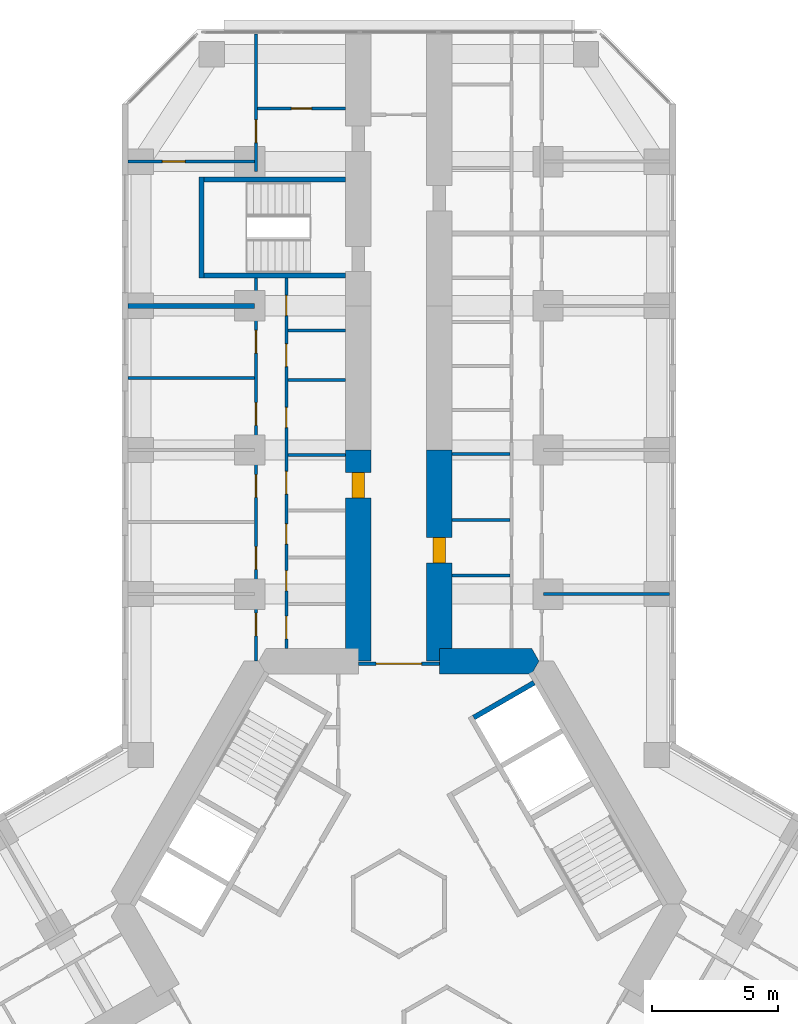
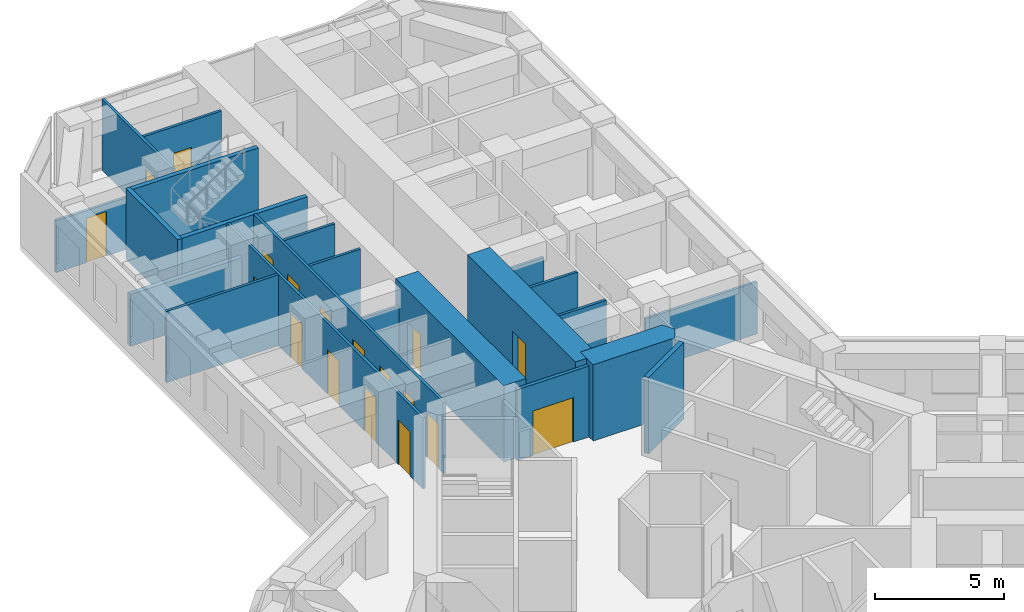
# One storey, part 17 of 21: 22 walls, 18 doors, 18 openings.
"""IFC4 building model written with IfcOpenShell, lengths in metres."""

from ifc_helpers import new_model, si_unit, direction, frame, frame_2d, origin, place, context, subcontext, project, spatial, polyline, rectangle, outline, extrude, material, layer, layer_set, type_object, element, fill, save


model = new_model("IFC4")

# Units and contexts
model_context = context("Model", 3, precision=1e-05, world=origin(), true_north=direction((0.0, 1.0)))
body_context = subcontext(model_context, "Body", "Model", "MODEL_VIEW")
ifc_project = project(units=[si_unit("LENGTHUNIT", "METRE"), si_unit("AREAUNIT", "SQUARE_METRE"), si_unit("VOLUMEUNIT", "CUBIC_METRE"), si_unit("PLANEANGLEUNIT", "RADIAN"), si_unit("MASSUNIT", "GRAM", prefix="KILO")], contexts=[model_context])

# Site, building, storey
site_placement = place(None, origin())
site = spatial("IfcSite", under=ifc_project, at=site_placement, CompositionType="ELEMENT")
building_placement = place(site_placement, origin())
building = spatial("IfcBuilding", under=site, at=building_placement, Name="Kosmar Iwan School Tower", CompositionType="ELEMENT")
storey_placement = place(building_placement, frame((0.0, 0.0, 71.800048828125)))
storey = spatial("IfcBuildingStorey", under=building, at=storey_placement, Name="L17", CompositionType="ELEMENT", Elevation=71.800048828125)

# Wall
ifc_material_1 = material(Name="Concrete C50/60", Category="concrete")
ifc_layer_1 = layer(ifc_material_1, 1.0)
ifc_layer_set_1 = layer_set([ifc_layer_1], Name="Core wall 1000")
wall_type_1 = type_object("IfcWallType", Name="Core wall 1000", PredefinedType="SHEAR", material=ifc_layer_set_1)
wall_1_placement = place(storey_placement, origin())
element("IfcWall", 1, at=wall_1_placement, inside=storey, type_object=wall_type_1, Name="Core wall F090a", PredefinedType="SHEAR", context=body_context, shape_type="SweptSolid", body=[
    extrude(outline(polyline([(1.60009765625, 9.10009765625), (5.25390625, 9.10009765625), (5.54248046875, 9.60009765625), (5.25390625, 10.10009765625), (1.60009765625, 10.10009765625), (1.60009765625, 9.10009765625)])), origin(), (0.0, 0.0, 1.0), 3.599853515625),
])

# Wall, opening, door
ifc_material_2 = material(Name="Concrete C50/60", Category="concrete")
ifc_layer_2 = layer(ifc_material_2, 1.0)
ifc_layer_set_2 = layer_set([ifc_layer_2], Name="Corridor buttress wall 1000")
wall_type_2 = type_object("IfcWallType", Name="Corridor buttress wall 1000", PredefinedType="SHEAR", material=ifc_layer_set_2)
wall_2_placement = place(storey_placement, frame((-1.60009765625, 9.60009765625, 0.0), z_axis=(0.0, 0.0, 1.0), x_axis=(0.0, 1.0, 0.0)))
wall_2 = element("IfcWall", 2, at=wall_2_placement, inside=storey, type_object=wall_type_2, Name="Corridor wall AL", PredefinedType="SHEAR", context=body_context, shape_type="SweptSolid", body=[
    extrude(rectangle(XDim=8.349853515625, YDim=1.0, at=frame_2d((4.1748046875, 0.0))), origin(), (0.0, 0.0, 1.0), 3.599853515625),
])
opening_1_placement = place(wall_2_placement, frame((6.449951171875, 0.0, 0.0)))
opening_1 = element("IfcOpeningElement", 3, at=opening_1_placement, cuts=wall_2, Name="Opening D1", PredefinedType="OPENING", context=body_context, shape_type="SweptSolid", body=[
    extrude(rectangle(XDim=1.0, YDim=2.10009765625, at=frame_2d((0.5, 1.050048828125))), frame((0.0, 0.511962890625, 0.0), z_axis=(0.0, -1.0, 0.0), x_axis=(1.0, 0.0, 0.0)), (0.0, 0.0, 1.0), 1.02392578125),
])
ifc_material_3 = material(Name="Timber fire door in steel frame", Category="steel")
door_type_1 = type_object("IfcDoorType", Name="Flat entrance door 1000x2100", OperationType="SINGLE_SWING_LEFT", PredefinedType="DOOR", material=ifc_material_3)
door_1_placement = place(opening_1_placement, origin())
door_1 = element("IfcDoor", 4, at=door_1_placement, inside=storey, type_object=door_type_1, Name="Flat L17-AL1 entrance door", OperationType="SINGLE_SWING_LEFT", OverallHeight=2.10009765625, OverallWidth=1.0, PredefinedType="DOOR", context=body_context, shape_type="SweptSolid", body=[
    extrude(rectangle(XDim=1.0, YDim=2.10009765625, at=frame_2d((0.5, 1.050048828125))), frame((0.0, 0.25, 0.0), z_axis=(0.0, -1.0, 0.0), x_axis=(1.0, 0.0, 0.0)), (0.0, 0.0, 1.0), 0.5),
])
fill(opening_1, door_1)

wall_3_placement = place(storey_placement, frame((1.60009765625, 9.60009765625, 0.0), z_axis=(0.0, 0.0, 1.0), x_axis=(0.0, 1.0, 0.0)))
wall_3 = element("IfcWall", 5, at=wall_3_placement, inside=storey, type_object=wall_type_2, Name="Corridor wall AR", PredefinedType="SHEAR", context=body_context, shape_type="SweptSolid", body=[
    extrude(rectangle(XDim=8.349853515625, YDim=1.0, at=frame_2d((4.1748046875, 0.0))), origin(), (0.0, 0.0, 1.0), 3.599853515625),
])
opening_2_placement = place(wall_3_placement, frame((3.8798828125, 0.0, 0.0)))
opening_2 = element("IfcOpeningElement", 6, at=opening_2_placement, cuts=wall_3, Name="Opening D1", PredefinedType="OPENING", context=body_context, shape_type="SweptSolid", body=[
    extrude(rectangle(XDim=1.0, YDim=2.10009765625, at=frame_2d((0.5, 1.050048828125))), frame((0.0, 0.511962890625, 0.0), z_axis=(0.0, -1.0, 0.0), x_axis=(1.0, 0.0, 0.0)), (0.0, 0.0, 1.0), 1.02392578125),
])
door_2_placement = place(opening_2_placement, origin())
door_2 = element("IfcDoor", 7, at=door_2_placement, inside=storey, type_object=door_type_1, Name="Flat L17-AR1 entrance door", OperationType="SINGLE_SWING_RIGHT", OverallHeight=2.10009765625, OverallWidth=1.0, PredefinedType="DOOR", context=body_context, shape_type="SweptSolid", body=[
    extrude(rectangle(XDim=1.0, YDim=2.10009765625, at=frame_2d((0.5, 1.050048828125))), frame((0.0, 0.25, 0.0), z_axis=(0.0, -1.0, 0.0), x_axis=(1.0, 0.0, 0.0)), (0.0, 0.0, 1.0), 0.5),
])
fill(opening_2, door_2)

ifc_material_4 = material(Name="Steel framed glazed screen", Category="steel")
ifc_layer_3 = layer(ifc_material_4, 0.14990234375)
ifc_layer_set_3 = layer_set([ifc_layer_3], Name="Corridor screen wall 150")
wall_type_3 = type_object("IfcWallType", Name="Corridor screen wall 150", PredefinedType="PARTITIONING", material=ifc_layer_set_3)
wall_4_placement = place(storey_placement, frame((1.60009765625, 9.5, 0.0), z_axis=(0.0, 0.0, 1.0), x_axis=(-1.0, 0.0, 0.0)))
wall_4 = element("IfcWall", 8, at=wall_4_placement, inside=storey, type_object=wall_type_3, Name="Corridor screen A L17", PredefinedType="PARTITIONING", context=body_context, shape_type="SweptSolid", body=[
    extrude(rectangle(XDim=3.2001953125, YDim=0.14990234375, at=frame_2d((1.60009765625, 0.0))), origin(), (0.0, 0.0, 1.0), 3.349853515625),
])
opening_3_placement = place(wall_4_placement, frame((0.699951171875, 0.0, 0.0)))
opening_3 = element("IfcOpeningElement", 9, at=opening_3_placement, cuts=wall_4, Name="Opening D9", PredefinedType="OPENING", context=body_context, shape_type="SweptSolid", body=[
    extrude(rectangle(XDim=1.800048828125, YDim=2.10009765625, at=frame_2d((0.89990234375, 1.050048828125))), frame((0.0, 0.0869140625, 0.0), z_axis=(0.0, -1.0, 0.0), x_axis=(1.0, 0.0, 0.0)), (0.0, 0.0, 1.0), 0.173828125),
])
ifc_material_5 = material(Name="Steel framed glazed smoke door", Category="steel")
door_type_2 = type_object("IfcDoorType", Name="Corridor smoke door pair 1800x2100", OperationType="DOUBLE_DOOR_DOUBLE_SWING", PredefinedType="DOOR", material=ifc_material_5)
door_3_placement = place(opening_3_placement, origin())
door_3 = element("IfcDoor", 10, at=door_3_placement, inside=storey, type_object=door_type_2, Name="Corridor doors A L17", OperationType="DOUBLE_DOOR_DOUBLE_SWING", OverallHeight=2.10009765625, OverallWidth=1.800048828125, PredefinedType="DOOR", context=body_context, shape_type="SweptSolid", body=[
    extrude(rectangle(XDim=1.800048828125, YDim=2.10009765625, at=frame_2d((0.89990234375, 1.050048828125))), frame((0.0, 0.02490234375, 0.0), z_axis=(0.0, -1.0, 0.0), x_axis=(1.0, 0.0, 0.0)), (0.0, 0.0, 1.0), 0.050048828125),
])
fill(opening_3, door_3)

# Wall, openings, doors
ifc_material_6 = material(Name="Gypsum board on steel studs", Category="steel")
ifc_layer_4 = layer(ifc_material_6, 0.1201171875)
ifc_layer_set_4 = layer_set([ifc_layer_4], Name="Dwelling partition 120")
wall_type_4 = type_object("IfcWallType", Name="Dwelling partition 120", PredefinedType="PARTITIONING", material=ifc_layer_set_4)
wall_5_placement = place(storey_placement, frame((-4.449951171875, 10.10009765625, 0.0), z_axis=(0.0, 0.0, 1.0), x_axis=(0.0, 1.0, 0.0)))
wall_5 = element("IfcWall", 11, at=wall_5_placement, inside=storey, type_object=wall_type_4, Name="Partition L17-AL1-W1", PredefinedType="PARTITIONING", context=body_context, shape_type="SweptSolid", body=[
    extrude(rectangle(XDim=14.64990234375, YDim=0.1201171875, at=frame_2d((7.324951171875, 0.0))), origin(), (0.0, 0.0, 1.0), 3.349853515625),
])
opening_4_placement = place(wall_5_placement, frame((0.375, 0.0, 0.0)))
opening_4 = element("IfcOpeningElement", 12, at=opening_4_placement, cuts=wall_5, Name="Opening D2", PredefinedType="OPENING", context=body_context, shape_type="SweptSolid", body=[
    extrude(rectangle(XDim=0.89990234375, YDim=2.10009765625, at=frame_2d((0.449951171875, 1.050048828125))), frame((0.0, 0.072021484375, 0.0), z_axis=(0.0, -1.0, 0.0), x_axis=(1.0, 0.0, 0.0)), (0.0, 0.0, 1.0), 0.14404296875),
])
opening_5_placement = place(wall_5_placement, frame((2.27490234375, 0.0, 0.0)))
opening_5 = element("IfcOpeningElement", 13, at=opening_5_placement, cuts=wall_5, Name="Opening D3", PredefinedType="OPENING", context=body_context, shape_type="SweptSolid", body=[
    extrude(rectangle(XDim=0.800048828125, YDim=2.10009765625, at=frame_2d((0.39990234375, 1.050048828125))), frame((0.0, 0.072021484375, 0.0), z_axis=(0.0, -1.0, 0.0), x_axis=(1.0, 0.0, 0.0)), (0.0, 0.0, 1.0), 0.14404296875),
])
opening_6_placement = place(wall_5_placement, frame((4.125, 0.0, 0.0)))
opening_6 = element("IfcOpeningElement", 14, at=opening_6_placement, cuts=wall_5, Name="Opening D3", PredefinedType="OPENING", context=body_context, shape_type="SweptSolid", body=[
    extrude(rectangle(XDim=0.800048828125, YDim=2.10009765625, at=frame_2d((0.39990234375, 1.050048828125))), frame((0.0, 0.072021484375, 0.0), z_axis=(0.0, -1.0, 0.0), x_axis=(1.0, 0.0, 0.0)), (0.0, 0.0, 1.0), 0.14404296875),
])
opening_7_placement = place(wall_5_placement, frame((6.10009765625, 0.0, 0.0)))
opening_7 = element("IfcOpeningElement", 15, at=opening_7_placement, cuts=wall_5, Name="Opening D2", PredefinedType="OPENING", context=body_context, shape_type="SweptSolid", body=[
    extrude(rectangle(XDim=0.89990234375, YDim=2.10009765625, at=frame_2d((0.449951171875, 1.050048828125))), frame((0.0, 0.072021484375, 0.0), z_axis=(0.0, -1.0, 0.0), x_axis=(1.0, 0.0, 0.0)), (0.0, 0.0, 1.0), 0.14404296875),
])
opening_8_placement = place(wall_5_placement, frame((8.728515625, 0.0, 0.0)))
opening_8 = element("IfcOpeningElement", 16, at=opening_8_placement, cuts=wall_5, Name="Opening D3", PredefinedType="OPENING", context=body_context, shape_type="SweptSolid", body=[
    extrude(rectangle(XDim=0.800048828125, YDim=2.10009765625, at=frame_2d((0.39990234375, 1.050048828125))), frame((0.0, 0.072021484375, 0.0), z_axis=(0.0, -1.0, 0.0), x_axis=(1.0, 0.0, 0.0)), (0.0, 0.0, 1.0), 0.14404296875),
])
opening_9_placement = place(wall_5_placement, frame((11.142822265625, 0.0, 0.0)))
opening_9 = element("IfcOpeningElement", 17, at=opening_9_placement, cuts=wall_5, Name="Opening D2", PredefinedType="OPENING", context=body_context, shape_type="SweptSolid", body=[
    extrude(rectangle(XDim=0.89990234375, YDim=2.10009765625, at=frame_2d((0.449951171875, 1.050048828125))), frame((0.0, 0.072021484375, 0.0), z_axis=(0.0, -1.0, 0.0), x_axis=(1.0, 0.0, 0.0)), (0.0, 0.0, 1.0), 0.14404296875),
])
opening_10_placement = place(wall_5_placement, frame((13.164306640625, 0.0, 0.0)))
opening_10 = element("IfcOpeningElement", 18, at=opening_10_placement, cuts=wall_5, Name="Opening D3", PredefinedType="OPENING", context=body_context, shape_type="SweptSolid", body=[
    extrude(rectangle(XDim=0.800048828125, YDim=2.10009765625, at=frame_2d((0.39990234375, 1.050048828125))), frame((0.0, 0.072021484375, 0.0), z_axis=(0.0, -1.0, 0.0), x_axis=(1.0, 0.0, 0.0)), (0.0, 0.0, 1.0), 0.14404296875),
])
ifc_material_7 = material(Name="Timber door in timber frame", Category="wood")
door_type_3 = type_object("IfcDoorType", Name="Internal door 900x2100", OperationType="SINGLE_SWING_LEFT", PredefinedType="DOOR", material=ifc_material_7)
door_4_placement = place(opening_4_placement, origin())
door_4 = element("IfcDoor", 19, at=door_4_placement, inside=storey, type_object=door_type_3, Name="Utility room door L17-AL1-S1", OperationType="SINGLE_SWING_LEFT", OverallHeight=2.10009765625, OverallWidth=0.89990234375, PredefinedType="DOOR", context=body_context, shape_type="SweptSolid", body=[
    extrude(rectangle(XDim=0.89990234375, YDim=2.10009765625, at=frame_2d((0.449951171875, 1.050048828125))), frame((0.0, 0.02490234375, 0.0), z_axis=(0.0, -1.0, 0.0), x_axis=(1.0, 0.0, 0.0)), (0.0, 0.0, 1.0), 0.050048828125),
])
fill(opening_4, door_4)
door_5_placement = place(opening_7_placement, origin())
door_5 = element("IfcDoor", 20, at=door_5_placement, inside=storey, type_object=door_type_3, Name="Entrance hall door L17-AL1-S4", OperationType="SINGLE_SWING_LEFT", OverallHeight=2.10009765625, OverallWidth=0.89990234375, PredefinedType="DOOR", context=body_context, shape_type="SweptSolid", body=[
    extrude(rectangle(XDim=0.89990234375, YDim=2.10009765625, at=frame_2d((0.449951171875, 1.050048828125))), frame((0.0, 0.02490234375, 0.0), z_axis=(0.0, -1.0, 0.0), x_axis=(1.0, 0.0, 0.0)), (0.0, 0.0, 1.0), 0.050048828125),
])
fill(opening_7, door_5)
door_6_placement = place(opening_9_placement, origin())
door_6 = element("IfcDoor", 21, at=door_6_placement, inside=storey, type_object=door_type_3, Name="Pantry door L17-AL1-S6", OperationType="SINGLE_SWING_RIGHT", OverallHeight=2.10009765625, OverallWidth=0.89990234375, PredefinedType="DOOR", context=body_context, shape_type="SweptSolid", body=[
    extrude(rectangle(XDim=0.89990234375, YDim=2.10009765625, at=frame_2d((0.449951171875, 1.050048828125))), frame((0.0, 0.02490234375, 0.0), z_axis=(0.0, -1.0, 0.0), x_axis=(1.0, 0.0, 0.0)), (0.0, 0.0, 1.0), 0.050048828125),
])
fill(opening_9, door_6)
ifc_material_8 = material(Name="Timber door in timber frame", Category="wood")
door_type_4 = type_object("IfcDoorType", Name="Sanitary room door 800x2100", OperationType="SINGLE_SWING_LEFT", PredefinedType="DOOR", material=ifc_material_8)
door_7_placement = place(opening_5_placement, origin())
door_7 = element("IfcDoor", 22, at=door_7_placement, inside=storey, type_object=door_type_4, Name="WC door L17-AL1-S2", OperationType="SINGLE_SWING_LEFT", OverallHeight=2.10009765625, OverallWidth=0.800048828125, PredefinedType="DOOR", context=body_context, shape_type="SweptSolid", body=[
    extrude(rectangle(XDim=0.800048828125, YDim=2.10009765625, at=frame_2d((0.39990234375, 1.050048828125))), frame((0.0, 0.02490234375, 0.0), z_axis=(0.0, -1.0, 0.0), x_axis=(1.0, 0.0, 0.0)), (0.0, 0.0, 1.0), 0.050048828125),
])
fill(opening_5, door_7)
door_8_placement = place(opening_6_placement, origin())
door_8 = element("IfcDoor", 23, at=door_8_placement, inside=storey, type_object=door_type_4, Name="Shower room door L17-AL1-S3", OperationType="SINGLE_SWING_LEFT", OverallHeight=2.10009765625, OverallWidth=0.800048828125, PredefinedType="DOOR", context=body_context, shape_type="SweptSolid", body=[
    extrude(rectangle(XDim=0.800048828125, YDim=2.10009765625, at=frame_2d((0.39990234375, 1.050048828125))), frame((0.0, 0.02490234375, 0.0), z_axis=(0.0, -1.0, 0.0), x_axis=(1.0, 0.0, 0.0)), (0.0, 0.0, 1.0), 0.050048828125),
])
fill(opening_6, door_8)
door_9_placement = place(opening_8_placement, origin())
door_9 = element("IfcDoor", 24, at=door_9_placement, inside=storey, type_object=door_type_4, Name="Bathroom door L17-AL1-S5", OperationType="SINGLE_SWING_RIGHT", OverallHeight=2.10009765625, OverallWidth=0.800048828125, PredefinedType="DOOR", context=body_context, shape_type="SweptSolid", body=[
    extrude(rectangle(XDim=0.800048828125, YDim=2.10009765625, at=frame_2d((0.39990234375, 1.050048828125))), frame((0.0, 0.02490234375, 0.0), z_axis=(0.0, -1.0, 0.0), x_axis=(1.0, 0.0, 0.0)), (0.0, 0.0, 1.0), 0.050048828125),
])
fill(opening_8, door_9)
door_10_placement = place(opening_10_placement, origin())
door_10 = element("IfcDoor", 25, at=door_10_placement, inside=storey, type_object=door_type_4, Name="Store door L17-AL1-S7", OperationType="SINGLE_SWING_RIGHT", OverallHeight=2.10009765625, OverallWidth=0.800048828125, PredefinedType="DOOR", context=body_context, shape_type="SweptSolid", body=[
    extrude(rectangle(XDim=0.800048828125, YDim=2.10009765625, at=frame_2d((0.39990234375, 1.050048828125))), frame((0.0, 0.02490234375, 0.0), z_axis=(0.0, -1.0, 0.0), x_axis=(1.0, 0.0, 0.0)), (0.0, 0.0, 1.0), 0.050048828125),
])
fill(opening_10, door_10)

wall_6_placement = place(storey_placement, frame((-5.64990234375, 9.60009765625, 0.0), z_axis=(0.0, 0.0, 1.0), x_axis=(0.0, 1.0, 0.0)))
wall_6 = element("IfcWall", 26, at=wall_6_placement, inside=storey, type_object=wall_type_4, Name="Partition L17-AL1-W2", PredefinedType="PARTITIONING", context=body_context, shape_type="SweptSolid", body=[
    extrude(rectangle(XDim=15.14990234375, YDim=0.1201171875, at=frame_2d((7.574951171875, 0.0))), origin(), (0.0, 0.0, 1.0), 3.349853515625),
])
opening_11_placement = place(wall_6_placement, frame((1.0, 0.0, 0.0)))
opening_11 = element("IfcOpeningElement", 27, at=opening_11_placement, cuts=wall_6, Name="Opening D2", PredefinedType="OPENING", context=body_context, shape_type="SweptSolid", body=[
    extrude(rectangle(XDim=0.89990234375, YDim=2.10009765625, at=frame_2d((0.449951171875, 1.050048828125))), frame((0.0, 0.072021484375, 0.0), z_axis=(0.0, -1.0, 0.0), x_axis=(1.0, 0.0, 0.0)), (0.0, 0.0, 1.0), 0.14404296875),
])
opening_12_placement = place(wall_6_placement, frame((3.625, 0.0, 0.0)))
opening_12 = element("IfcOpeningElement", 28, at=opening_12_placement, cuts=wall_6, Name="Opening D2", PredefinedType="OPENING", context=body_context, shape_type="SweptSolid", body=[
    extrude(rectangle(XDim=0.89990234375, YDim=2.10009765625, at=frame_2d((0.449951171875, 1.050048828125))), frame((0.0, 0.072021484375, 0.0), z_axis=(0.0, -1.0, 0.0), x_axis=(1.0, 0.0, 0.0)), (0.0, 0.0, 1.0), 0.14404296875),
])
opening_13_placement = place(wall_6_placement, frame((6.47509765625, 0.0, 0.0)))
opening_13 = element("IfcOpeningElement", 29, at=opening_13_placement, cuts=wall_6, Name="Opening D2", PredefinedType="OPENING", context=body_context, shape_type="SweptSolid", body=[
    extrude(rectangle(XDim=0.89990234375, YDim=2.10009765625, at=frame_2d((0.449951171875, 1.050048828125))), frame((0.0, 0.072021484375, 0.0), z_axis=(0.0, -1.0, 0.0), x_axis=(1.0, 0.0, 0.0)), (0.0, 0.0, 1.0), 0.14404296875),
])
opening_14_placement = place(wall_6_placement, frame((9.324951171875, 0.0, 0.0)))
opening_14 = element("IfcOpeningElement", 30, at=opening_14_placement, cuts=wall_6, Name="Opening D2", PredefinedType="OPENING", context=body_context, shape_type="SweptSolid", body=[
    extrude(rectangle(XDim=0.89990234375, YDim=2.10009765625, at=frame_2d((0.449951171875, 1.050048828125))), frame((0.0, 0.072021484375, 0.0), z_axis=(0.0, -1.0, 0.0), x_axis=(1.0, 0.0, 0.0)), (0.0, 0.0, 1.0), 0.14404296875),
])
opening_15_placement = place(wall_6_placement, frame((12.175048828125, 0.0, 0.0)))
opening_15 = element("IfcOpeningElement", 31, at=opening_15_placement, cuts=wall_6, Name="Opening D2", PredefinedType="OPENING", context=body_context, shape_type="SweptSolid", body=[
    extrude(rectangle(XDim=0.89990234375, YDim=2.10009765625, at=frame_2d((0.449951171875, 1.050048828125))), frame((0.0, 0.072021484375, 0.0), z_axis=(0.0, -1.0, 0.0), x_axis=(1.0, 0.0, 0.0)), (0.0, 0.0, 1.0), 0.14404296875),
])
door_11_placement = place(opening_11_placement, origin())
door_11 = element("IfcDoor", 32, at=door_11_placement, inside=storey, type_object=door_type_3, Name="Living room and kitchen door L17-AL1-F1", OperationType="SINGLE_SWING_LEFT", OverallHeight=2.10009765625, OverallWidth=0.89990234375, PredefinedType="DOOR", context=body_context, shape_type="SweptSolid", body=[
    extrude(rectangle(XDim=0.89990234375, YDim=2.10009765625, at=frame_2d((0.449951171875, 1.050048828125))), frame((0.0, 0.02490234375, 0.0), z_axis=(0.0, -1.0, 0.0), x_axis=(1.0, 0.0, 0.0)), (0.0, 0.0, 1.0), 0.050048828125),
])
fill(opening_11, door_11)
door_12_placement = place(opening_12_placement, origin())
door_12 = element("IfcDoor", 33, at=door_12_placement, inside=storey, type_object=door_type_3, Name="Study door L17-AL1-F2", OperationType="SINGLE_SWING_LEFT", OverallHeight=2.10009765625, OverallWidth=0.89990234375, PredefinedType="DOOR", context=body_context, shape_type="SweptSolid", body=[
    extrude(rectangle(XDim=0.89990234375, YDim=2.10009765625, at=frame_2d((0.449951171875, 1.050048828125))), frame((0.0, 0.02490234375, 0.0), z_axis=(0.0, -1.0, 0.0), x_axis=(1.0, 0.0, 0.0)), (0.0, 0.0, 1.0), 0.050048828125),
])
fill(opening_12, door_12)
door_13_placement = place(opening_13_placement, origin())
door_13 = element("IfcDoor", 34, at=door_13_placement, inside=storey, type_object=door_type_3, Name="Bedroom 1 door L17-AL1-F3", OperationType="SINGLE_SWING_RIGHT", OverallHeight=2.10009765625, OverallWidth=0.89990234375, PredefinedType="DOOR", context=body_context, shape_type="SweptSolid", body=[
    extrude(rectangle(XDim=0.89990234375, YDim=2.10009765625, at=frame_2d((0.449951171875, 1.050048828125))), frame((0.0, 0.02490234375, 0.0), z_axis=(0.0, -1.0, 0.0), x_axis=(1.0, 0.0, 0.0)), (0.0, 0.0, 1.0), 0.050048828125),
])
fill(opening_13, door_13)
door_14_placement = place(opening_14_placement, origin())
door_14 = element("IfcDoor", 35, at=door_14_placement, inside=storey, type_object=door_type_3, Name="Bedroom 2 door L17-AL1-F4", OperationType="SINGLE_SWING_LEFT", OverallHeight=2.10009765625, OverallWidth=0.89990234375, PredefinedType="DOOR", context=body_context, shape_type="SweptSolid", body=[
    extrude(rectangle(XDim=0.89990234375, YDim=2.10009765625, at=frame_2d((0.449951171875, 1.050048828125))), frame((0.0, 0.02490234375, 0.0), z_axis=(0.0, -1.0, 0.0), x_axis=(1.0, 0.0, 0.0)), (0.0, 0.0, 1.0), 0.050048828125),
])
fill(opening_14, door_14)
door_15_placement = place(opening_15_placement, origin())
door_15 = element("IfcDoor", 36, at=door_15_placement, inside=storey, type_object=door_type_3, Name="Bedroom 3 door L17-AL1-F5", OperationType="SINGLE_SWING_RIGHT", OverallHeight=2.10009765625, OverallWidth=0.89990234375, PredefinedType="DOOR", context=body_context, shape_type="SweptSolid", body=[
    extrude(rectangle(XDim=0.89990234375, YDim=2.10009765625, at=frame_2d((0.449951171875, 1.050048828125))), frame((0.0, 0.02490234375, 0.0), z_axis=(0.0, -1.0, 0.0), x_axis=(1.0, 0.0, 0.0)), (0.0, 0.0, 1.0), 0.050048828125),
])
fill(opening_15, door_15)

# Walls
wall_7_placement = place(storey_placement, frame((-5.7099609375, 20.800048828125, 0.0), z_axis=(0.0, 0.0, 1.0), x_axis=(-1.0, 0.0, 0.0)))
element("IfcWall", 37, at=wall_7_placement, inside=storey, type_object=wall_type_4, Name="Partition L17-AL1-X4", PredefinedType="PARTITIONING", context=body_context, shape_type="SweptSolid", body=[
    extrude(rectangle(XDim=4.989990234375, YDim=0.1201171875, at=frame_2d((2.4951171875, 0.0))), origin(), (0.0, 0.0, 1.0), 3.349853515625),
])
wall_8_placement = place(storey_placement, frame((-2.10009765625, 17.75, 0.0), z_axis=(0.0, 0.0, 1.0), x_axis=(-1.0, 0.0, 0.0)))
element("IfcWall", 38, at=wall_8_placement, inside=storey, type_object=wall_type_4, Name="Partition L17-AL1-Y4", PredefinedType="PARTITIONING", context=body_context, shape_type="SweptSolid", body=[
    extrude(rectangle(XDim=2.289794921875, YDim=0.1201171875, at=frame_2d((1.14501953125, 0.0))), origin(), (0.0, 0.0, 1.0), 2.449951171875),
])
for number, where, z_axis, x_axis, name in (
    (39, (-2.10009765625, 20.70703125, 0.0), (0.0, 0.0, 1.0), (-1.0, 0.0, 0.0), "Partition L17-AL1-Y5"),
    (40, (-2.10009765625, 22.678466796875, 0.0), (0.0, 0.0, 1.0), (-1.0, 0.0, 0.0), "Partition L17-AL1-Y6"),
):
    element("IfcWall", number, at=place(storey_placement, frame(where, z_axis=z_axis, x_axis=x_axis)), inside=storey, type_object=wall_type_4, Name=name, PredefinedType="PARTITIONING", context=body_context, shape_type="SweptSolid", body=[
        extrude(rectangle(XDim=2.289794921875, YDim=0.1201171875, at=frame_2d((1.14501953125, 0.0))), origin(), (0.0, 0.0, 1.0), 3.349853515625),
    ])

# Wall, opening, door
wall_9_placement = place(storey_placement, frame((-5.7099609375, 29.35009765625, 0.0), z_axis=(0.0, 0.0, 1.0), x_axis=(-1.0, 0.0, 0.0)))
wall_9 = element("IfcWall", 41, at=wall_9_placement, inside=storey, type_object=wall_type_4, Name="Partition L17-AL2-TX", PredefinedType="PARTITIONING", context=body_context, shape_type="SweptSolid", body=[
    extrude(rectangle(XDim=4.989990234375, YDim=0.1201171875, at=frame_2d((2.4951171875, 0.0))), origin(), (0.0, 0.0, 1.0), 2.449951171875),
])
opening_16_placement = place(wall_9_placement, frame((2.739990234375, 0.0, 0.0)))
opening_16 = element("IfcOpeningElement", 42, at=opening_16_placement, cuts=wall_9, Name="Opening D2", PredefinedType="OPENING", context=body_context, shape_type="SweptSolid", body=[
    extrude(rectangle(XDim=0.89990234375, YDim=2.10009765625, at=frame_2d((0.449951171875, 1.050048828125))), frame((0.0, 0.072021484375, 0.0), z_axis=(0.0, -1.0, 0.0), x_axis=(1.0, 0.0, 0.0)), (0.0, 0.0, 1.0), 0.14404296875),
])
door_16_placement = place(opening_16_placement, origin())
door_16 = element("IfcDoor", 43, at=door_16_placement, inside=storey, type_object=door_type_3, Name="Bedroom 1 door L17-AL2-T1", OperationType="SINGLE_SWING_RIGHT", OverallHeight=2.10009765625, OverallWidth=0.89990234375, PredefinedType="DOOR", context=body_context, shape_type="SweptSolid", body=[
    extrude(rectangle(XDim=0.89990234375, YDim=2.10009765625, at=frame_2d((0.449951171875, 1.050048828125))), frame((0.0, 0.02490234375, 0.0), z_axis=(0.0, -1.0, 0.0), x_axis=(1.0, 0.0, 0.0)), (0.0, 0.0, 1.0), 0.050048828125),
])
fill(opening_16, door_16)

wall_10_placement = place(storey_placement, frame((-5.64990234375, 28.949951171875, 0.0), z_axis=(0.0, 0.0, 1.0), x_axis=(0.0, 1.0, 0.0)))
wall_10 = element("IfcWall", 44, at=wall_10_placement, inside=storey, type_object=wall_type_4, Name="Partition L17-AL2-TW", PredefinedType="PARTITIONING", context=body_context, shape_type="SweptSolid", body=[
    extrude(rectangle(XDim=5.445068359375, YDim=0.1201171875, at=frame_2d((2.72265625, 0.0))), origin(), (0.0, 0.0, 1.0), 3.349853515625),
])
opening_17_placement = place(wall_10_placement, frame((1.14990234375, 0.0, 0.0)))
opening_17 = element("IfcOpeningElement", 45, at=opening_17_placement, cuts=wall_10, Name="Opening D2", PredefinedType="OPENING", context=body_context, shape_type="SweptSolid", body=[
    extrude(rectangle(XDim=0.89990234375, YDim=2.10009765625, at=frame_2d((0.449951171875, 1.050048828125))), frame((0.0, 0.072021484375, 0.0), z_axis=(0.0, -1.0, 0.0), x_axis=(1.0, 0.0, 0.0)), (0.0, 0.0, 1.0), 0.14404296875),
])
door_17_placement = place(opening_17_placement, origin())
door_17 = element("IfcDoor", 46, at=door_17_placement, inside=storey, type_object=door_type_3, Name="Entrance hall door L17-AL2-T3", OperationType="SINGLE_SWING_LEFT", OverallHeight=2.10009765625, OverallWidth=0.89990234375, PredefinedType="DOOR", context=body_context, shape_type="SweptSolid", body=[
    extrude(rectangle(XDim=0.89990234375, YDim=2.10009765625, at=frame_2d((0.449951171875, 1.050048828125))), frame((0.0, 0.02490234375, 0.0), z_axis=(0.0, -1.0, 0.0), x_axis=(1.0, 0.0, 0.0)), (0.0, 0.0, 1.0), 0.050048828125),
])
fill(opening_17, door_17)

wall_11_placement = place(storey_placement, frame((-2.10009765625, 31.449951171875, 0.0), z_axis=(0.0, 0.0, 1.0), x_axis=(-1.0, 0.0, 0.0)))
wall_11 = element("IfcWall", 47, at=wall_11_placement, inside=storey, type_object=wall_type_4, Name="Partition L17-AL2-TY", PredefinedType="PARTITIONING", context=body_context, shape_type="SweptSolid", body=[
    extrude(rectangle(XDim=3.489990234375, YDim=0.1201171875, at=frame_2d((1.7451171875, 0.0))), origin(), (0.0, 0.0, 1.0), 3.349853515625),
])
opening_18_placement = place(wall_11_placement, frame((1.344970703125, 0.0, 0.0)))
opening_18 = element("IfcOpeningElement", 48, at=opening_18_placement, cuts=wall_11, Name="Opening D3", PredefinedType="OPENING", context=body_context, shape_type="SweptSolid", body=[
    extrude(rectangle(XDim=0.800048828125, YDim=2.10009765625, at=frame_2d((0.39990234375, 1.050048828125))), frame((0.0, 0.072021484375, 0.0), z_axis=(0.0, -1.0, 0.0), x_axis=(1.0, 0.0, 0.0)), (0.0, 0.0, 1.0), 0.14404296875),
])
door_18_placement = place(opening_18_placement, origin())
door_18 = element("IfcDoor", 49, at=door_18_placement, inside=storey, type_object=door_type_4, Name="Bathroom door L17-AL2-T4", OperationType="SINGLE_SWING_LEFT", OverallHeight=2.10009765625, OverallWidth=0.800048828125, PredefinedType="DOOR", context=body_context, shape_type="SweptSolid", body=[
    extrude(rectangle(XDim=0.800048828125, YDim=2.10009765625, at=frame_2d((0.39990234375, 1.050048828125))), frame((0.0, 0.02490234375, 0.0), z_axis=(0.0, -1.0, 0.0), x_axis=(1.0, 0.0, 0.0)), (0.0, 0.0, 1.0), 0.050048828125),
])
fill(opening_18, door_18)

# Walls
wall_12_placement = place(storey_placement, frame((5.7099609375, 12.25, 0.0), z_axis=(0.0, 0.0, 1.0), x_axis=(1.0, 0.0, 0.0)))
element("IfcWall", 50, at=wall_12_placement, inside=storey, type_object=wall_type_4, Name="Partition L17-AR1-X1", PredefinedType="PARTITIONING", context=body_context, shape_type="SweptSolid", body=[
    extrude(rectangle(XDim=4.989990234375, YDim=0.1201171875, at=frame_2d((2.4951171875, 0.0))), origin(), (0.0, 0.0, 1.0), 2.449951171875),
])
for number, where, z_axis, x_axis, name in (
    (51, (2.10009765625, 12.97998046875, 0.0), (0.0, 0.0, 1.0), (1.0, 0.0, 0.0), "Partition L17-AR1-Y1"),
    (52, (2.10009765625, 15.179931640625, 0.0), (0.0, 0.0, 1.0), (1.0, 0.0, 0.0), "Partition L17-AR1-Y2"),
):
    element("IfcWall", number, at=place(storey_placement, frame(where, z_axis=z_axis, x_axis=x_axis)), inside=storey, type_object=wall_type_4, Name=name, PredefinedType="PARTITIONING", context=body_context, shape_type="SweptSolid", body=[
        extrude(rectangle(XDim=2.289794921875, YDim=0.1201171875, at=frame_2d((1.14501953125, 0.0))), origin(), (0.0, 0.0, 1.0), 3.349853515625),
    ])
wall_13_placement = place(storey_placement, frame((2.10009765625, 17.792236328125, 0.0), z_axis=(0.0, 0.0, 1.0), x_axis=(1.0, 0.0, 0.0)))
element("IfcWall", 53, at=wall_13_placement, inside=storey, type_object=wall_type_4, Name="Partition L17-AR1-Y3", PredefinedType="PARTITIONING", context=body_context, shape_type="SweptSolid", body=[
    extrude(rectangle(XDim=2.289794921875, YDim=0.1201171875, at=frame_2d((1.14501953125, 0.0))), origin(), (0.0, 0.0, 1.0), 2.449951171875),
])
ifc_material_9 = material(Name="Concrete C35/45", Category="concrete")
ifc_layer_5 = layer(ifc_material_9, 0.199951171875)
ifc_layer_set_5 = layer_set([ifc_layer_5], Name="Escape stair wall 200")
wall_type_5 = type_object("IfcWallType", Name="Escape stair wall 200", PredefinedType="SHEAR", material=ifc_layer_set_5)
for number, where, z_axis, x_axis, name in (
    (54, (-2.10009765625, 24.85009765625, 0.0), (0.0, 0.0, 1.0), (-1.0, 0.0, 0.0), "Stair WS1 wall"),
    (55, (-2.10009765625, 28.64990234375, 0.0), (0.0, 0.0, 1.0), (-1.0, 0.0, 0.0), "Stair WS1 wall"),
):
    element("IfcWall", number, at=place(storey_placement, frame(where, z_axis=z_axis, x_axis=x_axis)), inside=storey, type_object=wall_type_5, Name=name, PredefinedType="SHEAR", context=body_context, shape_type="SweptSolid", body=[
        extrude(rectangle(XDim=5.7998046875, YDim=0.199951171875, at=frame_2d((2.89990234375, 0.0))), origin(), (0.0, 0.0, 1.0), 3.329833984375),
    ])
wall_14_placement = place(storey_placement, frame((-7.800048828125, 24.75, 0.0), z_axis=(0.0, 0.0, 1.0), x_axis=(0.0, 1.0, 0.0)))
element("IfcWall", 56, at=wall_14_placement, inside=storey, type_object=wall_type_5, Name="Stair WS1 wall", PredefinedType="SHEAR", context=body_context, shape_type="SweptSolid", body=[
    extrude(rectangle(XDim=4.0, YDim=0.199951171875, at=frame_2d((2.0, 0.0))), origin(), (0.0, 0.0, 1.0), 3.329833984375),
])
ifc_material_10 = material(Name="Concrete C50/60", Category="concrete")
ifc_layer_6 = layer(ifc_material_10, 0.199951171875)
ifc_layer_set_6 = layer_set([ifc_layer_6], Name="Lift shaft wall 200")
wall_type_6 = type_object("IfcWallType", Name="Lift shaft wall 200", PredefinedType="SHEAR", material=ifc_layer_set_6)
wall_15_placement = place(storey_placement, frame((2.962646484375, 7.368408203125, 0.0), z_axis=(0.0, 0.0, 1.0), x_axis=(0.866027397988, 0.499996545922, 0.0)))
element("IfcWall", 57, at=wall_15_placement, inside=storey, type_object=wall_type_6, Name="Lift shaft wall AC 2", PredefinedType="SHEAR", context=body_context, shape_type="SweptSolid", body=[
    extrude(rectangle(XDim=2.75, YDim=0.199951171875, at=frame_2d((1.375, 0.0))), origin(), (0.0, 0.0, 1.0), 3.599853515625),
])
ifc_material_11 = material(Name="Concrete block masonry", Category="masonry")
ifc_layer_7 = layer(ifc_material_11, 0.199951171875)
ifc_layer_set_7 = layer_set([ifc_layer_7], Name="Party wall 200")
wall_type_7 = type_object("IfcWallType", Name="Party wall 200", PredefinedType="PARTITIONING", material=ifc_layer_set_7)
wall_16_placement = place(storey_placement, frame((-5.7099609375, 23.64990234375, 0.0), z_axis=(0.0, 0.0, 1.0), x_axis=(-1.0, 0.0, 0.0)))
element("IfcWall", 58, at=wall_16_placement, inside=storey, type_object=wall_type_7, Name="Partition L17-AL2-TB", PredefinedType="PARTITIONING", context=body_context, shape_type="SweptSolid", body=[
    extrude(rectangle(XDim=4.989990234375, YDim=0.199951171875, at=frame_2d((2.4951171875, 0.0))), origin(), (0.0, 0.0, 1.0), 2.449951171875),
])

save(model, "model.ifc")
